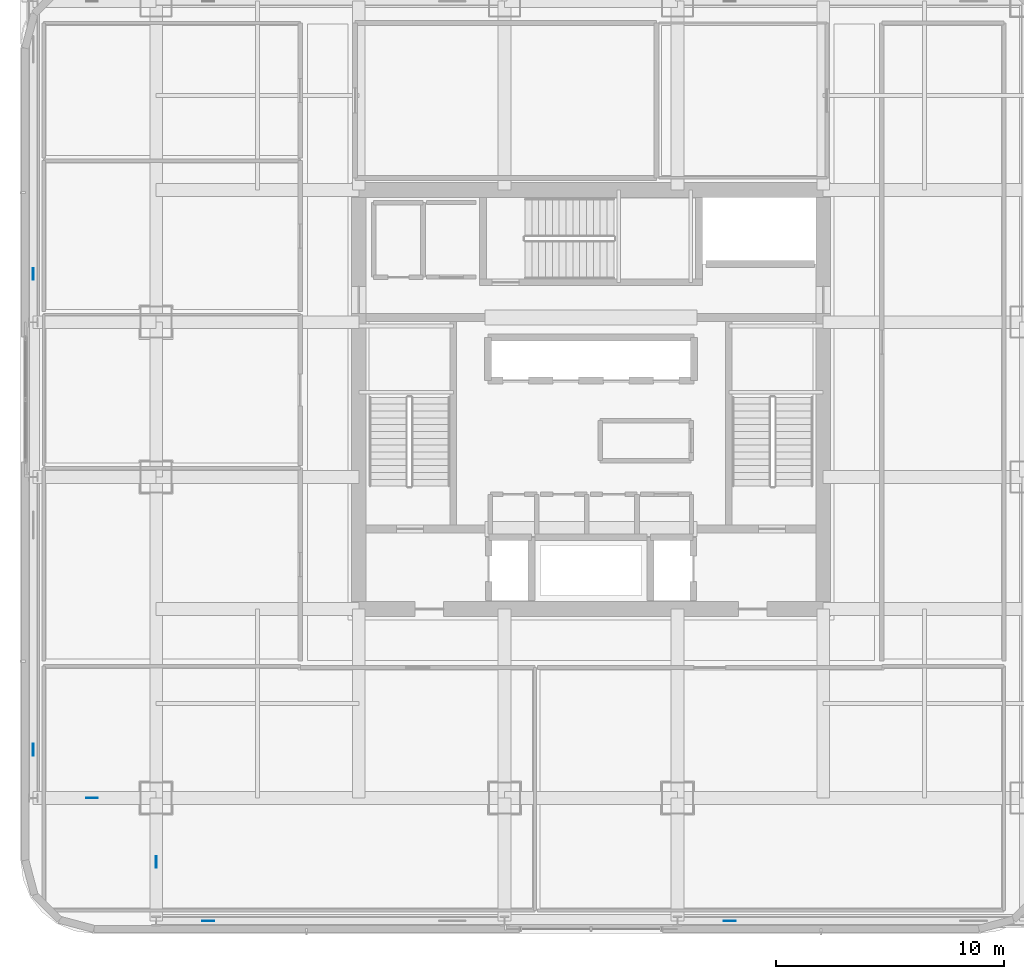
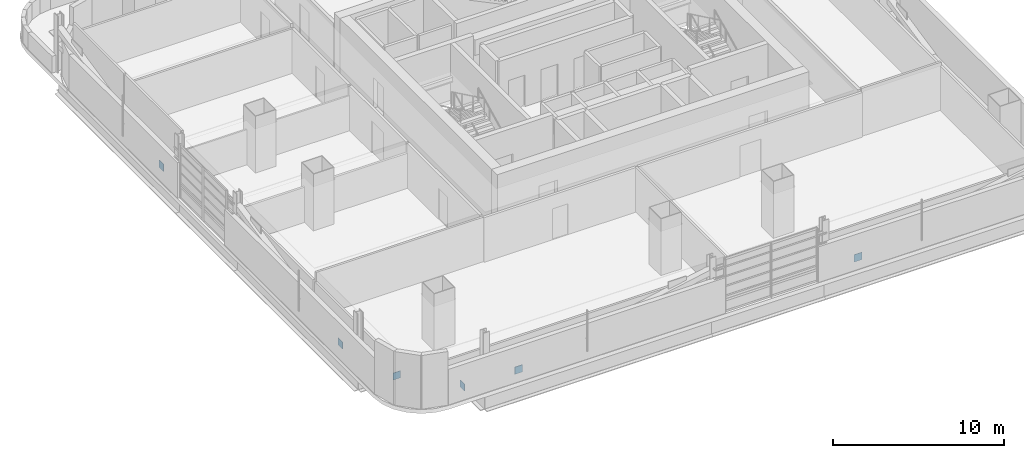
# One storey, part 7 of 29: 6 plates.
"""IFC4 building model written with IfcOpenShell, lengths in metres."""

from ifc_helpers import new_model, si_unit, direction, frame, origin, origin_2d, place, context, subcontext, project, spatial, rectangle, extrude, material, layer, layer_set, type_object, element, save


model = new_model("IFC4")

# Units and contexts
model_context = context("Model", 3, precision=1e-05, world=origin(), true_north=direction((0.0, 1.0)))
body_context = subcontext(model_context, "Body", "Model", "MODEL_VIEW")
ifc_project = project(units=[si_unit("LENGTHUNIT", "METRE"), si_unit("AREAUNIT", "SQUARE_METRE"), si_unit("VOLUMEUNIT", "CUBIC_METRE"), si_unit("PLANEANGLEUNIT", "RADIAN"), si_unit("MASSUNIT", "GRAM", prefix="KILO")], contexts=[model_context])

# Site, building, storey
site_placement = place(None, origin())
site = spatial("IfcSite", under=ifc_project, at=site_placement, CompositionType="ELEMENT")
building_placement = place(site_placement, origin())
building = spatial("IfcBuilding", under=site, at=building_placement, Name="Punatoya Terracotta Tower", CompositionType="ELEMENT")
storey_placement = place(building_placement, frame((0.0, 0.0, 172.199951171875)))
storey = spatial("IfcBuildingStorey", under=building, at=storey_placement, Name="L40", CompositionType="ELEMENT", Elevation=172.199951171875)

# Plates
ifc_material = material(Name="Steel S460", Category="steel")
ifc_layer = layer(ifc_material, 0.031982421875)
ifc_layer_set = layer_set([ifc_layer], Name="Steel S460")
plate_type = type_object("IfcPlateType", Name="PLT-END-32", PredefinedType="USERDEFINED", material=ifc_layer_set)
for number, where, z_axis, x_axis, name in (
    (1, (-16.804931640625, -22.89990234375, 0.21142578125), (0.0, 0.0, 1.0), (1.0, 0.0, 0.0), "L40 Exoskeleton Base Node Plate S1"),
    (2, (6.094970703125, -22.89990234375, 0.21142578125), (0.0, 0.0, 1.0), (1.0, 0.0, 0.0), "L40 Exoskeleton Base Node Plate S3"),
    (3, (-24.5, -15.385009765625, 0.21142578125), (0.0, 0.0, 1.0), (0.0, 1.0, 0.0), "L40 Exoskeleton Base Node Plate W1"),
    (4, (-24.5, 5.514892578125, 0.21142578125), (0.0, 0.0, 1.0), (0.0, 1.0, 0.0), "L40 Exoskeleton Base Node Plate W3"),
):
    element("IfcPlate", number, at=place(storey_placement, frame(where, z_axis=z_axis, x_axis=x_axis)), inside=storey, type_object=plate_type, Name=name, ObjectType="FLANGE_PLATE", PredefinedType="USERDEFINED", context=body_context, shape_type="SweptSolid", body=[
        extrude(rectangle(XDim=0.52001953125, YDim=0.031982421875, at=origin_2d()), origin(), (0.0, 0.0, 1.0), 0.52001953125),
    ])
for number, where, z_axis, x_axis, name in (
    (5, (-21.916015625, -17.5, -1.683837890625), (0.0, 0.0, 1.0), (1.0, 0.0, 0.0), "L40 Knee-Strut Upper End Cap Plate W1"),
    (6, (-19.10009765625, -20.31591796875, -1.683837890625), (0.0, 0.0, 1.0), (0.0, 1.0, 0.0), "L40 Knee-Strut Upper End Cap Plate S1"),
):
    element("IfcPlate", number, at=place(storey_placement, frame(where, z_axis=z_axis, x_axis=x_axis)), inside=storey, type_object=plate_type, Name=name, ObjectType="FLANGE_PLATE", PredefinedType="USERDEFINED", context=body_context, shape_type="SweptSolid", body=[
        extrude(rectangle(XDim=0.5, YDim=0.031982421875, at=origin_2d()), origin(), (0.0, 0.0, 1.0), 0.5),
    ])

save(model, "model.ifc")
